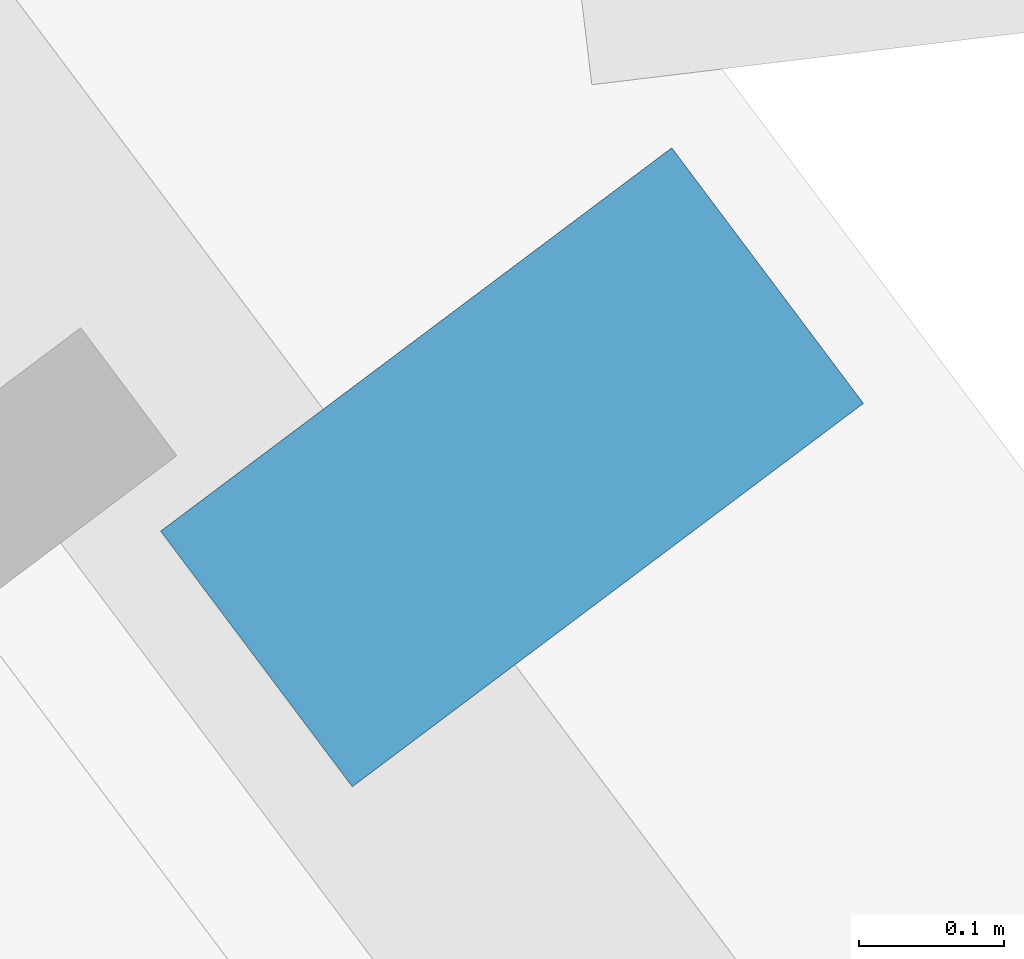
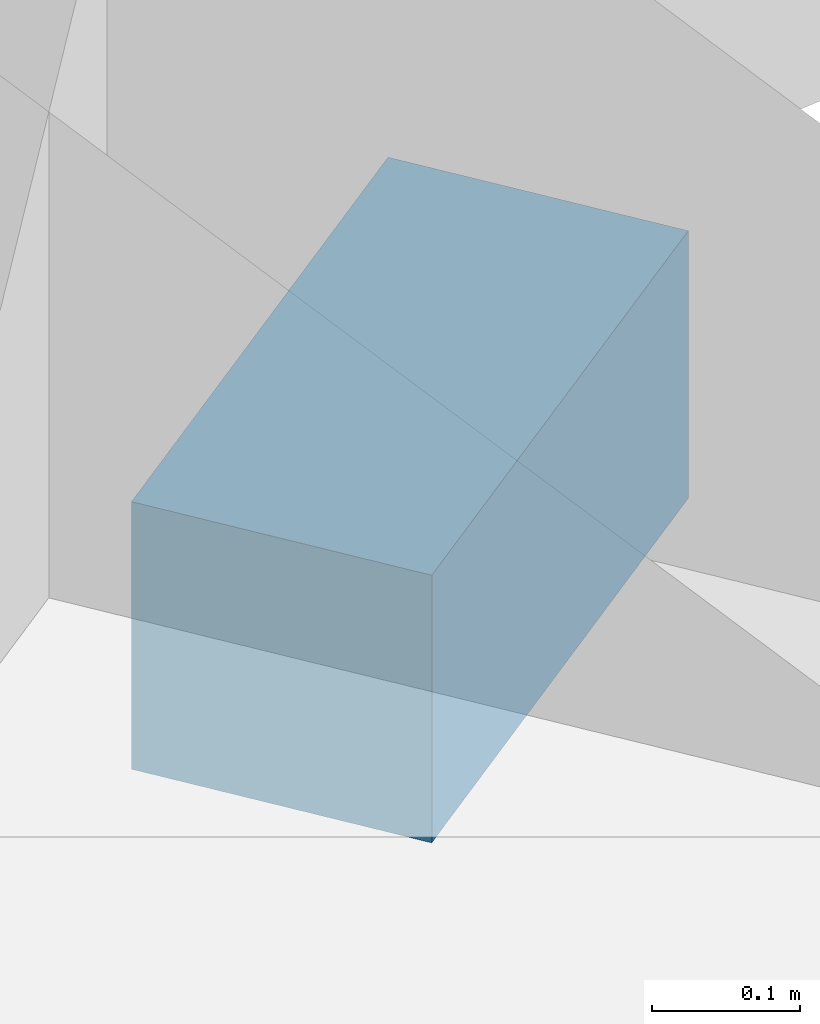
# One storey, part 41 of 48: 1 discrete accessory.
"""IFC4 building model written with IfcOpenShell, lengths in metres."""

from ifc_helpers import new_model, si_unit, direction, frame, origin, origin_2d, place, context, subcontext, project, spatial, rectangle, extrude, material, type_object, element, save


model = new_model("IFC4")

# Units and contexts
model_context = context("Model", 3, precision=1e-05, world=origin(), true_north=direction((0.0, 1.0)))
body_context = subcontext(model_context, "Body", "Model", "MODEL_VIEW")
ifc_project = project(units=[si_unit("LENGTHUNIT", "METRE"), si_unit("AREAUNIT", "SQUARE_METRE"), si_unit("VOLUMEUNIT", "CUBIC_METRE"), si_unit("PLANEANGLEUNIT", "RADIAN"), si_unit("MASSUNIT", "GRAM", prefix="KILO")], contexts=[model_context])

# Site, building, storey
site_placement = place(None, origin())
site = spatial("IfcSite", under=ifc_project, at=site_placement, CompositionType="ELEMENT")
building_placement = place(site_placement, origin())
building = spatial("IfcBuilding", under=site, at=building_placement, Name="Tashvorn Skyway Center", CompositionType="ELEMENT")
storey_placement = place(building_placement, frame((0.0, 0.0, 125.050048828125)))
storey = spatial("IfcBuildingStorey", under=building, at=storey_placement, Name="L33", CompositionType="ELEMENT", Elevation=125.050048828125)

# Discrete accessory
ifc_material = material(Name="Steel ASTM A572 Grade 50", Category="steel")
discrete_accessory_type = type_object("IfcDiscreteAccessoryType", Name="ACC-BRACKET-350", PredefinedType="BRACKET", material=ifc_material)
discrete_accessory_placement = place(storey_placement, frame((126.847900390625, 45.635986328125, -0.169921875), z_axis=(0.0, 0.0, 1.0), x_axis=(0.600000004945, -0.799999996291, 0.0)))
element("IfcDiscreteAccessory", 1, at=discrete_accessory_placement, inside=storey, type_object=discrete_accessory_type, Name="Tower 2 L33 Solar Screen Fixing Bracket E2", PredefinedType="BRACKET", context=body_context, shape_type="SweptSolid", body=[
    extrude(rectangle(XDim=0.219970703125, YDim=0.43994140625, at=origin_2d()), origin(), (0.0, 0.0, 1.0), 0.219970703125),
])

save(model, "model.ifc")
